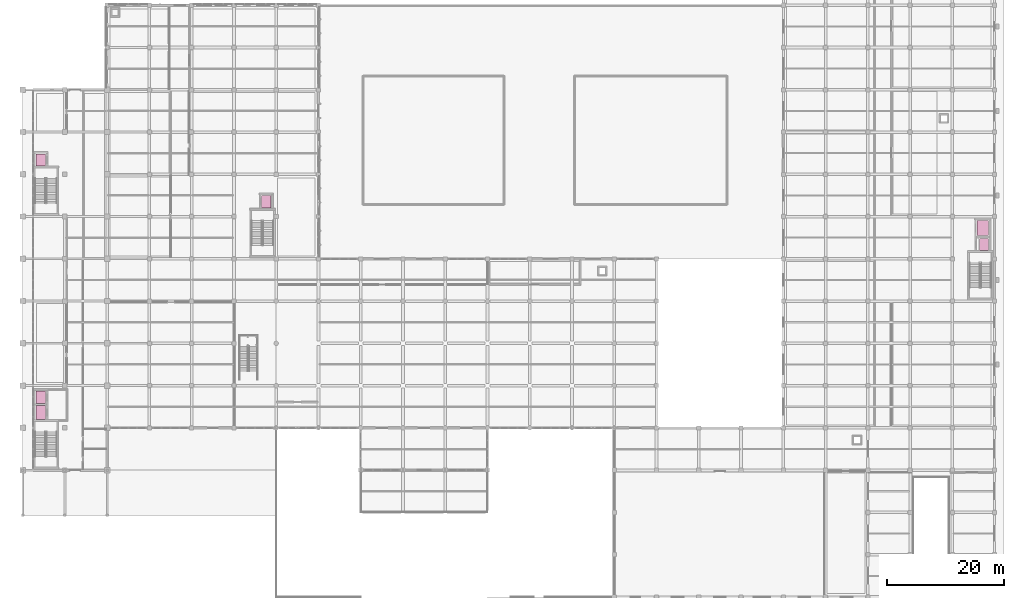
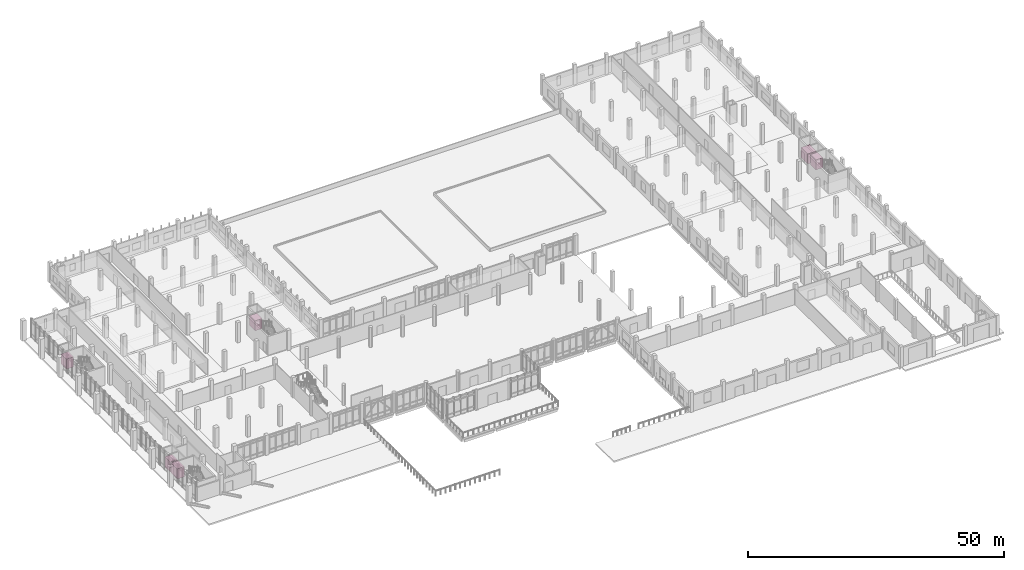
# One storey, part 59 of 59: 6 transport elements.
"""IFC4 building model written with IfcOpenShell, lengths in metres."""

from ifc_helpers import new_model, si_unit, direction, frame, origin, origin_2d, place, context, subcontext, project, spatial, rectangle, extrude, material, type_object, element, save


model = new_model("IFC4")

# Units and contexts
model_context = context("Model", 3, precision=1e-05, world=origin(), true_north=direction((0.0, 1.0)))
body_context = subcontext(model_context, "Body", "Model", "MODEL_VIEW")
ifc_project = project(units=[si_unit("LENGTHUNIT", "METRE"), si_unit("AREAUNIT", "SQUARE_METRE"), si_unit("VOLUMEUNIT", "CUBIC_METRE"), si_unit("PLANEANGLEUNIT", "RADIAN"), si_unit("MASSUNIT", "GRAM", prefix="KILO")], contexts=[model_context])

# Site, building, storey
site_placement = place(None, origin())
site = spatial("IfcSite", under=ifc_project, at=site_placement, CompositionType="ELEMENT")
building_placement = place(site_placement, origin())
building = spatial("IfcBuilding", under=site, at=building_placement, Name="Valkovuoma Quantum and Materials Research Institute", CompositionType="ELEMENT")
storey_placement = place(building_placement, origin())
storey = spatial("IfcBuildingStorey", under=building, at=storey_placement, Name="L00", CompositionType="ELEMENT", Elevation=0.0)

# Transport elements
ifc_material_1 = material(Name="Brushed stainless steel lift car", Category="steel")
transport_element_type_1 = type_object("IfcTransportElementType", Name="Lift-LIFT-FF", PredefinedType="ELEVATOR", material=ifc_material_1)
transport_element_1_placement = place(storey_placement, frame((3.10009765625, 38.60009765625, 0.0), z_axis=(0.0, 0.0, 1.0), x_axis=(1.0, 0.0, 0.0)))
element("IfcTransportElement", 1, at=transport_element_1_placement, inside=storey, type_object=transport_element_type_1, Name="Elevator LIFT-FF1", PredefinedType="ELEVATOR", context=body_context, shape_type="SweptSolid", body=[
    extrude(rectangle(XDim=1.60009765625, YDim=2.39990234375, at=origin_2d()), origin(), (0.0, 0.0, 1.0), 2.39990234375),
])
ifc_material_2 = material(Name="Brushed stainless steel lift car", Category="steel")
transport_element_type_2 = type_object("IfcTransportElementType", Name="Lift-LIFT-GDS", PredefinedType="ELEVATOR", material=ifc_material_2)
transport_element_2_placement = place(storey_placement, frame((163.60009765625, 70.050048828125, 0.0), z_axis=(0.0, 0.0, 1.0), x_axis=(1.0, 0.0, 0.0)))
element("IfcTransportElement", 2, at=transport_element_2_placement, inside=storey, type_object=transport_element_type_2, Name="Elevator LIFT-G1", PredefinedType="ELEVATOR", context=body_context, shape_type="SweptSolid", body=[
    extrude(rectangle(XDim=2.0, YDim=2.60009765625, at=origin_2d()), origin(), (0.0, 0.0, 1.0), 2.39990234375),
])
ifc_material_3 = material(Name="Brushed stainless steel lift car", Category="steel")
transport_element_type_3 = type_object("IfcTransportElementType", Name="Lift-LIFT-PAX", PredefinedType="ELEVATOR", material=ifc_material_3)
for number, where, z_axis, x_axis, name in (
    (3, (3.10009765625, 41.199951171875, 0.0), (0.0, 0.0, 1.0), (1.0, 0.0, 0.0), "Elevator LIFT-P1"),
    (4, (3.10009765625, 81.64990234375, 0.0), (0.0, 0.0, 1.0), (1.0, 0.0, 0.0), "Elevator LIFT-P2"),
    (5, (163.800048828125, 67.25, 0.0), (0.0, 0.0, 1.0), (1.0, 0.0, 0.0), "Elevator LIFT-P3"),
    (6, (41.5, 74.550048828125, 0.0), (0.0, 0.0, 1.0), (1.0, 0.0, 0.0), "Elevator LIFT-P4"),
):
    element("IfcTransportElement", number, at=place(storey_placement, frame(where, z_axis=z_axis, x_axis=x_axis)), inside=storey, type_object=transport_element_type_3, Name=name, PredefinedType="ELEVATOR", context=body_context, shape_type="SweptSolid", body=[
        extrude(rectangle(XDim=1.60009765625, YDim=2.10009765625, at=origin_2d()), origin(), (0.0, 0.0, 1.0), 2.39990234375),
    ])

save(model, "model.ifc")
